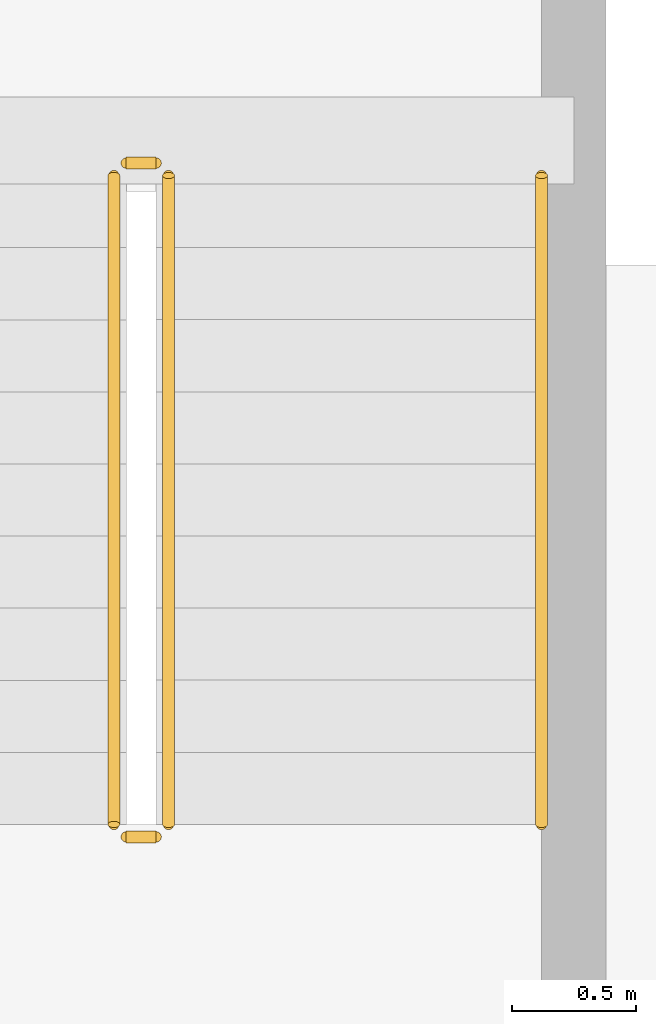
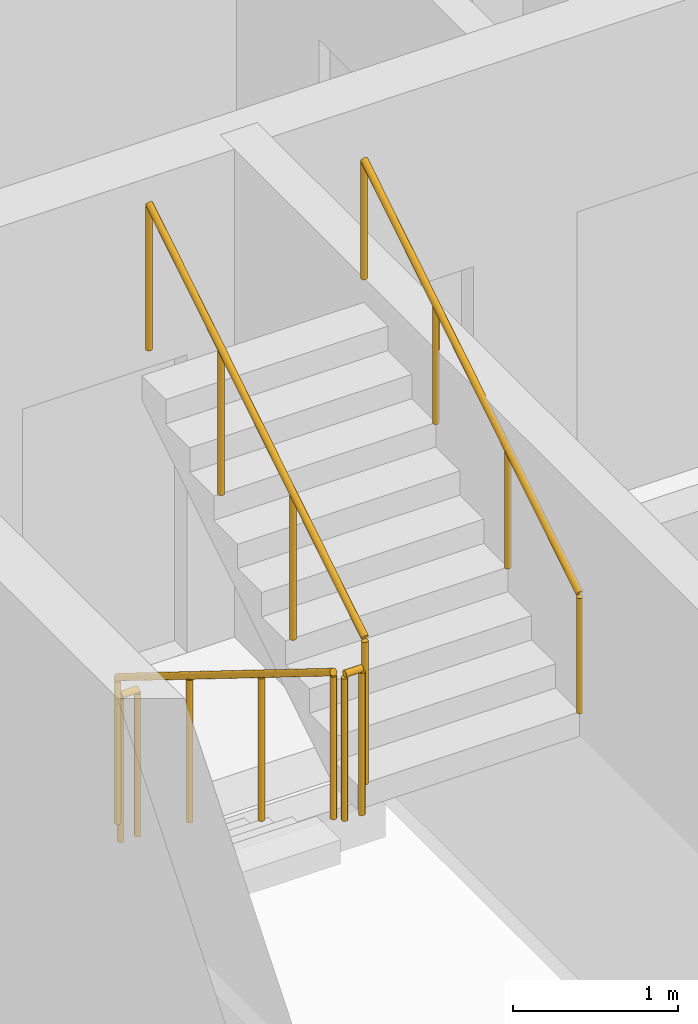
# One storey, part 10 of 11: 5 railings.
"""IFC4 building model written with IfcOpenShell, lengths in metres."""

from ifc_helpers import new_model, si_unit, direction, frame, origin, origin_2d, place, context, subcontext, project, spatial, circle, extrude, material, type_object, element, save


model = new_model("IFC4")

# Units and contexts
model_context = context("Model", 3, precision=1e-05, world=origin(), true_north=direction((0.0, 1.0)))
body_context = subcontext(model_context, "Body", "Model", "MODEL_VIEW")
ifc_project = project(units=[si_unit("LENGTHUNIT", "METRE"), si_unit("AREAUNIT", "SQUARE_METRE"), si_unit("VOLUMEUNIT", "CUBIC_METRE"), si_unit("PLANEANGLEUNIT", "RADIAN"), si_unit("MASSUNIT", "GRAM", prefix="KILO")], contexts=[model_context])

# Site, building, storey
site_placement = place(None, origin())
site = spatial("IfcSite", under=ifc_project, at=site_placement, CompositionType="ELEMENT")
building_placement = place(site_placement, origin())
building = spatial("IfcBuilding", under=site, at=building_placement, Name="Vharandega Faculty of Natural Sciences", CompositionType="ELEMENT")
storey_placement = place(building_placement, frame((0.0, 0.0, 36.0)))
storey = spatial("IfcBuildingStorey", under=building, at=storey_placement, Name="L09", CompositionType="ELEMENT", Elevation=36.0)

# Railings
ifc_material_1 = material(Name="Brushed stainless steel handrail", Category="steel")
railing_type_1 = type_object("IfcRailingType", Name="Stair Tubular Handrail 900", PredefinedType="HANDRAIL", material=ifc_material_1)
railing_1_placement = place(storey_placement, frame((149.330078125, 68.050048828125, 1.97998046875)))
element("IfcRailing", 1, at=railing_1_placement, inside=storey, type_object=railing_type_1, Name="L09 ST2 stair handrail 2", PredefinedType="HANDRAIL", context=body_context, shape_type="SweptSolid", body=[
    extrude(circle(Radius=0.02392578125, at=origin_2d()), frame((0.0, 0.0, 0.8759765625), z_axis=(0.0, 0.849610693518, 0.52741034258), x_axis=(-1.0, 0.0, 0.0)), (0.0, 0.0, 1.0), 3.07177734375),
    extrude(circle(Radius=0.02099609375, at=origin_2d()), origin(), (0.0, 0.0, 1.0), 0.851806640625),
    extrude(circle(Radius=0.02099609375, at=origin_2d()), frame((0.0, 0.869873046875, 0.5400390625)), (0.0, 0.0, 1.0), 0.851806640625),
    extrude(circle(Radius=0.02099609375, at=origin_2d()), frame((0.0, 1.739990234375, 1.080078125)), (0.0, 0.0, 1.0), 0.851806640625),
    extrude(circle(Radius=0.02099609375, at=origin_2d()), frame((0.0, 2.60986328125, 1.6201171875)), (0.0, 0.0, 1.0), 0.851806640625),
])
ifc_material_2 = material(Name="Painted steel stair guardrail", Category="steel")
railing_type_2 = type_object("IfcRailingType", Name="Stairwell Steel Guardrail 1100", PredefinedType="GUARDRAIL", material=ifc_material_2)
railing_2_placement = place(storey_placement, frame((147.610107421875, 70.659912109375, 0.179931640625)))
element("IfcRailing", 2, at=railing_2_placement, inside=storey, type_object=railing_type_2, Name="L09 ST2 stair guard 1", PredefinedType="GUARDRAIL", context=body_context, shape_type="SweptSolid", body=[
    extrude(circle(Radius=0.02392578125, at=origin_2d()), frame((0.0, 0.0, 1.076171875), z_axis=(0.0, -0.849610693518, 0.52741034258), x_axis=(1.0, 0.0, 0.0)), (0.0, 0.0, 1.0), 3.07177734375),
    extrude(circle(Radius=0.02099609375, at=origin_2d()), origin(), (0.0, 0.0, 1.0), 1.052001953125),
    extrude(circle(Radius=0.02099609375, at=origin_2d()), frame((0.0, -0.869873046875, 0.5400390625)), (0.0, 0.0, 1.0), 1.052001953125),
    extrude(circle(Radius=0.02099609375, at=origin_2d()), frame((0.0, -1.739990234375, 1.080078125)), (0.0, 0.0, 1.0), 1.052001953125),
    extrude(circle(Radius=0.02099609375, at=origin_2d()), frame((0.0, -2.60986328125, 1.6201171875)), (0.0, 0.0, 1.0), 1.052001953125),
])
railing_3_placement = place(storey_placement, frame((147.659912109375, 68.0, 1.800048828125)))
element("IfcRailing", 3, at=railing_3_placement, inside=storey, type_object=railing_type_2, Name="L09 ST2 stair guard 2", PredefinedType="GUARDRAIL", context=body_context, shape_type="SweptSolid", body=[
    extrude(circle(Radius=0.02392578125, at=origin_2d()), frame((0.0, 0.0, 1.076171875), z_axis=(1.0, 0.0, 0.0), x_axis=(0.0, 1.0, 0.0)), (0.0, 0.0, 1.0), 0.1201171875),
    extrude(circle(Radius=0.02099609375, at=origin_2d()), origin(), (0.0, 0.0, 1.0), 1.052001953125),
    extrude(circle(Radius=0.02099609375, at=origin_2d()), frame((0.1201171875, 0.0, 0.0)), (0.0, 0.0, 1.0), 1.052001953125),
])
railing_4_placement = place(storey_placement, frame((147.830078125, 68.050048828125, 1.97998046875)))
element("IfcRailing", 4, at=railing_4_placement, inside=storey, type_object=railing_type_2, Name="L09 ST2 stair guard 3", PredefinedType="GUARDRAIL", context=body_context, shape_type="SweptSolid", body=[
    extrude(circle(Radius=0.02392578125, at=origin_2d()), frame((0.0, 0.0, 1.076171875), z_axis=(0.0, 0.849610693518, 0.52741034258), x_axis=(-1.0, 0.0, 0.0)), (0.0, 0.0, 1.0), 3.07177734375),
    extrude(circle(Radius=0.02099609375, at=origin_2d()), origin(), (0.0, 0.0, 1.0), 1.052001953125),
    extrude(circle(Radius=0.02099609375, at=origin_2d()), frame((0.0, 0.869873046875, 0.5400390625)), (0.0, 0.0, 1.0), 1.052001953125),
    extrude(circle(Radius=0.02099609375, at=origin_2d()), frame((0.0, 1.739990234375, 1.080078125)), (0.0, 0.0, 1.0), 1.052001953125),
    extrude(circle(Radius=0.02099609375, at=origin_2d()), frame((0.0, 2.60986328125, 1.6201171875)), (0.0, 0.0, 1.0), 1.052001953125),
])
railing_5_placement = place(storey_placement, frame((147.659912109375, 70.7099609375, 0.0)))
element("IfcRailing", 5, at=railing_5_placement, inside=storey, type_object=railing_type_2, Name="L09 ST2 stair guard 4", PredefinedType="GUARDRAIL", context=body_context, shape_type="SweptSolid", body=[
    extrude(circle(Radius=0.02392578125, at=origin_2d()), frame((0.0, 0.0, 1.076171875), z_axis=(1.0, 0.0, 0.0), x_axis=(0.0, 1.0, 0.0)), (0.0, 0.0, 1.0), 0.1201171875),
    extrude(circle(Radius=0.02099609375, at=origin_2d()), origin(), (0.0, 0.0, 1.0), 1.052001953125),
    extrude(circle(Radius=0.02099609375, at=origin_2d()), frame((0.1201171875, 0.0, 0.0)), (0.0, 0.0, 1.0), 1.052001953125),
])

save(model, "model.ifc")
